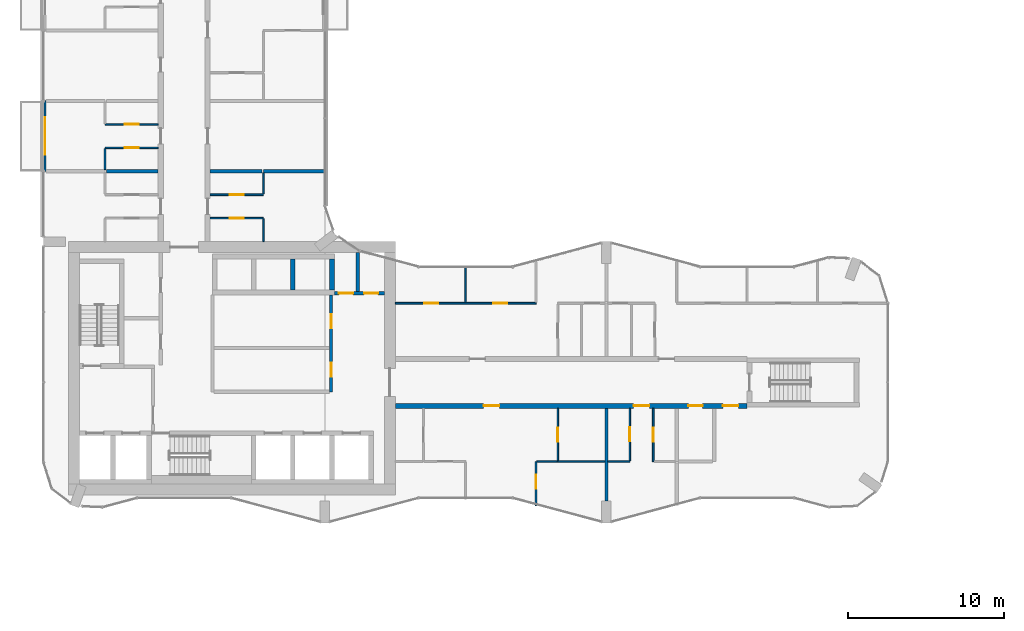
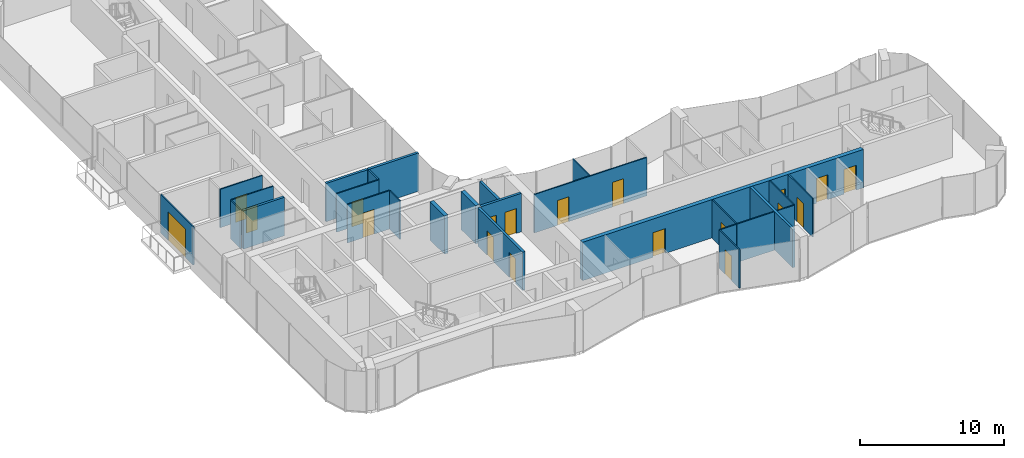
# One storey, part 14 of 23: 27 walls, 19 doors, 19 openings.
"""IFC4 building model written with IfcOpenShell, lengths in metres."""

from ifc_helpers import new_model, si_unit, direction, frame, frame_2d, origin, place, context, subcontext, project, spatial, rectangle, extrude, material, layer, layer_set, type_object, element, fill, save


model = new_model("IFC4")

# Units and contexts
model_context = context("Model", 3, precision=1e-05, world=origin(), true_north=direction((0.0, 1.0)))
body_context = subcontext(model_context, "Body", "Model", "MODEL_VIEW")
ifc_project = project(units=[si_unit("LENGTHUNIT", "METRE"), si_unit("AREAUNIT", "SQUARE_METRE"), si_unit("VOLUMEUNIT", "CUBIC_METRE"), si_unit("PLANEANGLEUNIT", "RADIAN"), si_unit("MASSUNIT", "GRAM", prefix="KILO")], contexts=[model_context])

# Site, building, storey
site_placement = place(None, origin())
site = spatial("IfcSite", under=ifc_project, at=site_placement, CompositionType="ELEMENT")
building_placement = place(site_placement, origin())
building = spatial("IfcBuilding", under=site, at=building_placement, Name="Plateau Cross Towers", CompositionType="ELEMENT")
storey_placement = place(building_placement, frame((0.0, 0.0, 92.300048828125)))
storey = spatial("IfcBuildingStorey", under=building, at=storey_placement, Name="L23", CompositionType="ELEMENT", Elevation=92.300048828125)

# Wall, opening, door
ifc_material_1 = material(Name="Aluminium framed glazing", Category="aluminium")
ifc_layer_1 = layer(ifc_material_1, 0.10009765625)
ifc_layer_set_1 = layer_set([ifc_layer_1], Name="Aluminium framed glazing")
wall_type_1 = type_object("IfcWallType", Name="Balcony screen wall 100", PredefinedType="STANDARD", material=ifc_layer_set_1)
wall_1_placement = place(storey_placement, frame((0.10009765625, 22.5, 0.0), z_axis=(0.0, 0.0, 1.0), x_axis=(0.0, 1.0, 0.0)))
wall_1 = element("IfcWall", 1, at=wall_1_placement, inside=storey, type_object=wall_type_1, Name="Balcony screen wall A-BAL-L23-01", PredefinedType="STANDARD", context=body_context, shape_type="SweptSolid", body=[
    extrude(rectangle(XDim=4.5, YDim=0.10009765625, at=frame_2d((2.25, 0.0))), origin(), (0.0, 0.0, 1.0), 3.25),
])
opening_1_placement = place(wall_1_placement, frame((1.050048828125, 0.0, 0.0)))
opening_1 = element("IfcOpeningElement", 2, at=opening_1_placement, cuts=wall_1, Name="Opening D-B24", PredefinedType="OPENING", context=body_context, shape_type="SweptSolid", body=[
    extrude(rectangle(XDim=2.39990234375, YDim=2.39990234375, at=frame_2d((1.199951171875, 1.199951171875))), frame((0.0, 0.06005859375, 0.0), z_axis=(0.0, -1.0, 0.0), x_axis=(1.0, 0.0, 0.0)), (0.0, 0.0, 1.0), 0.1201171875),
])
ifc_material_2 = material(Name="Aluminium frame, double glazing", Category="aluminium")
door_type_1 = type_object("IfcDoorType", Name="Balcony sliding door 2400", OperationType="NOTDEFINED", PredefinedType="DOOR", material=ifc_material_2)
door_1_placement = place(opening_1_placement, origin())
door_1 = element("IfcDoor", 3, at=door_1_placement, inside=storey, type_object=door_type_1, Name="Balcony door A-BAL-L23-01", OperationType="SINGLE_SWING_LEFT", OverallHeight=2.39990234375, OverallWidth=2.39990234375, PredefinedType="DOOR", context=body_context, shape_type="SweptSolid", body=[
    extrude(rectangle(XDim=2.39990234375, YDim=2.39990234375, at=frame_2d((1.199951171875, 1.199951171875))), frame((0.0, 0.02490234375, 0.0), z_axis=(0.0, -1.0, 0.0), x_axis=(1.0, 0.0, 0.0)), (0.0, 0.0, 1.0), 0.050048828125),
])
fill(opening_1, door_1)

# Wall, openings, doors
ifc_material_3 = material(Name="Concrete block, plastered both sides", Category="concrete")
ifc_layer_2 = layer(ifc_material_3, 0.199951171875)
ifc_layer_set_2 = layer_set([ifc_layer_2], Name="Concrete block, plastered both sides")
wall_type_2 = type_object("IfcWallType", Name="Core partition 200", PredefinedType="PARTITIONING", material=ifc_layer_set_2)
wall_2_placement = place(storey_placement, frame((18.39990234375, 8.39990234375, 0.0), z_axis=(0.0, 0.0, 1.0), x_axis=(0.0, 1.0, 0.0)))
wall_2 = element("IfcWall", 4, at=wall_2_placement, inside=storey, type_object=wall_type_2, Name="Core partition", PredefinedType="PARTITIONING", context=body_context, shape_type="SweptSolid", body=[
    extrude(rectangle(XDim=6.2001953125, YDim=0.199951171875, at=frame_2d((3.10009765625, 0.0))), origin(), (0.0, 0.0, 1.0), 3.25),
])
opening_2_placement = place(wall_2_placement, frame((0.949951171875, 0.0, 0.0)))
opening_2 = element("IfcOpeningElement", 5, at=opening_2_placement, cuts=wall_2, Name="Opening RD1", PredefinedType="OPENING", context=body_context, shape_type="SweptSolid", body=[
    extrude(rectangle(XDim=0.89990234375, YDim=2.10009765625, at=frame_2d((0.449951171875, 1.050048828125))), frame((0.0, 0.10986328125, 0.0), z_axis=(0.0, -1.0, 0.0), x_axis=(1.0, 0.0, 0.0)), (0.0, 0.0, 1.0), 0.219970703125),
])
opening_3_placement = place(wall_2_placement, frame((4.050048828125, 0.0, 0.0)))
opening_3 = element("IfcOpeningElement", 6, at=opening_3_placement, cuts=wall_2, Name="Opening RD1", PredefinedType="OPENING", context=body_context, shape_type="SweptSolid", body=[
    extrude(rectangle(XDim=0.89990234375, YDim=2.10009765625, at=frame_2d((0.449951171875, 1.050048828125))), frame((0.0, 0.10986328125, 0.0), z_axis=(0.0, -1.0, 0.0), x_axis=(1.0, 0.0, 0.0)), (0.0, 0.0, 1.0), 0.219970703125),
])
ifc_material_4 = material(Name="Timber, fire-resisting leaf", Category="wood")
door_type_2 = type_object("IfcDoorType", Name="Core service door 900", OperationType="NOTDEFINED", PredefinedType="DOOR", material=ifc_material_4)
door_2_placement = place(opening_2_placement, origin())
door_2 = element("IfcDoor", 7, at=door_2_placement, inside=storey, type_object=door_type_2, Name="Core service door RD1", OperationType="SINGLE_SWING_LEFT", OverallHeight=2.10009765625, OverallWidth=0.89990234375, PredefinedType="DOOR", context=body_context, shape_type="SweptSolid", body=[
    extrude(rectangle(XDim=0.89990234375, YDim=2.10009765625, at=frame_2d((0.449951171875, 1.050048828125))), frame((0.0, 0.02490234375, 0.0), z_axis=(0.0, -1.0, 0.0), x_axis=(1.0, 0.0, 0.0)), (0.0, 0.0, 1.0), 0.050048828125),
])
fill(opening_2, door_2)
door_3_placement = place(opening_3_placement, origin())
door_3 = element("IfcDoor", 8, at=door_3_placement, inside=storey, type_object=door_type_2, Name="Core service door RD1", OperationType="SINGLE_SWING_LEFT", OverallHeight=2.10009765625, OverallWidth=0.89990234375, PredefinedType="DOOR", context=body_context, shape_type="SweptSolid", body=[
    extrude(rectangle(XDim=0.89990234375, YDim=2.10009765625, at=frame_2d((0.449951171875, 1.050048828125))), frame((0.0, 0.02490234375, 0.0), z_axis=(0.0, -1.0, 0.0), x_axis=(1.0, 0.0, 0.0)), (0.0, 0.0, 1.0), 0.050048828125),
])
fill(opening_3, door_3)

wall_3_placement = place(storey_placement, frame((18.60009765625, 14.699951171875, 0.0), z_axis=(0.0, 0.0, 1.0), x_axis=(1.0, 0.0, 0.0)))
wall_3 = element("IfcWall", 9, at=wall_3_placement, inside=storey, type_object=wall_type_2, Name="Core partition", PredefinedType="PARTITIONING", context=body_context, shape_type="SweptSolid", body=[
    extrude(rectangle(XDim=3.199951171875, YDim=0.199951171875, at=frame_2d((1.60009765625, 0.0))), origin(), (0.0, 0.0, 1.0), 3.25),
])
opening_4_placement = place(wall_3_placement, frame((0.300048828125, 0.0, 0.0)))
opening_4 = element("IfcOpeningElement", 10, at=opening_4_placement, cuts=wall_3, Name="Opening RD2", PredefinedType="OPENING", context=body_context, shape_type="SweptSolid", body=[
    extrude(rectangle(XDim=0.89990234375, YDim=2.10009765625, at=frame_2d((0.449951171875, 1.050048828125))), frame((0.0, 0.10986328125, 0.0), z_axis=(0.0, -1.0, 0.0), x_axis=(1.0, 0.0, 0.0)), (0.0, 0.0, 1.0), 0.219970703125),
])
opening_5_placement = place(wall_3_placement, frame((1.89990234375, 0.0, 0.0)))
opening_5 = element("IfcOpeningElement", 11, at=opening_5_placement, cuts=wall_3, Name="Opening RD2", PredefinedType="OPENING", context=body_context, shape_type="SweptSolid", body=[
    extrude(rectangle(XDim=0.89990234375, YDim=2.10009765625, at=frame_2d((0.449951171875, 1.050048828125))), frame((0.0, 0.10986328125, 0.0), z_axis=(0.0, -1.0, 0.0), x_axis=(1.0, 0.0, 0.0)), (0.0, 0.0, 1.0), 0.219970703125),
])
ifc_material_5 = material(Name="Steel, fire-resisting leaf", Category="steel")
door_type_3 = type_object("IfcDoorType", Name="Core riser door 900", OperationType="NOTDEFINED", PredefinedType="DOOR", material=ifc_material_5)
door_4_placement = place(opening_4_placement, origin())
door_4 = element("IfcDoor", 12, at=door_4_placement, inside=storey, type_object=door_type_3, Name="Core riser door RD2", OperationType="SINGLE_SWING_LEFT", OverallHeight=2.10009765625, OverallWidth=0.89990234375, PredefinedType="DOOR", context=body_context, shape_type="SweptSolid", body=[
    extrude(rectangle(XDim=0.89990234375, YDim=2.10009765625, at=frame_2d((0.449951171875, 1.050048828125))), frame((0.0, 0.02490234375, 0.0), z_axis=(0.0, -1.0, 0.0), x_axis=(1.0, 0.0, 0.0)), (0.0, 0.0, 1.0), 0.050048828125),
])
fill(opening_4, door_4)
door_5_placement = place(opening_5_placement, origin())
door_5 = element("IfcDoor", 13, at=door_5_placement, inside=storey, type_object=door_type_3, Name="Core riser door RD2", OperationType="SINGLE_SWING_LEFT", OverallHeight=2.10009765625, OverallWidth=0.89990234375, PredefinedType="DOOR", context=body_context, shape_type="SweptSolid", body=[
    extrude(rectangle(XDim=0.89990234375, YDim=2.10009765625, at=frame_2d((0.449951171875, 1.050048828125))), frame((0.0, 0.02490234375, 0.0), z_axis=(0.0, -1.0, 0.0), x_axis=(1.0, 0.0, 0.0)), (0.0, 0.0, 1.0), 0.050048828125),
])
fill(opening_5, door_5)

# Walls
wall_4_placement = place(storey_placement, frame((20.10009765625, 14.800048828125, 0.0), z_axis=(0.0, 0.0, 1.0), x_axis=(0.0, 1.0, 0.0)))
element("IfcWall", 14, at=wall_4_placement, inside=storey, type_object=wall_type_2, Name="Core partition", PredefinedType="PARTITIONING", context=body_context, shape_type="SweptSolid", body=[
    extrude(rectangle(XDim=2.5, YDim=0.199951171875, at=frame_2d((1.25, 0.0))), origin(), (0.0, 0.0, 1.0), 3.25),
])
ifc_material_6 = material(Name="Concrete C60/75", Category="concrete")
ifc_layer_3 = layer(ifc_material_6, 0.300048828125)
ifc_layer_set_3 = layer_set([ifc_layer_3], Name="Concrete C60/75")
wall_type_3 = type_object("IfcWallType", Name="Core shaft wall 300", PredefinedType="SHEAR", material=ifc_layer_set_3)
for number, where, z_axis, x_axis, name in (
    (15, (15.949951171875, 14.89990234375, 0.0), (0.0, 0.0, 1.0), (0.0, 1.0, 0.0), "A-nb-v3@L23"),
    (16, (18.449951171875, 14.89990234375, 0.0), (0.0, 0.0, 1.0), (0.0, 1.0, 0.0), "A-nb-v4@L23"),
):
    element("IfcWall", number, at=place(storey_placement, frame(where, z_axis=z_axis, x_axis=x_axis)), inside=storey, type_object=wall_type_3, Name=name, PredefinedType="SHEAR", context=body_context, shape_type="SweptSolid", body=[
        extrude(rectangle(XDim=2.0, YDim=0.300048828125, at=frame_2d((1.0, 0.0))), origin(), (0.0, 0.0, 1.0), 3.25),
    ])

# Wall, openings, doors
ifc_layer_4 = layer(ifc_material_6, 0.324951171875)
ifc_layer_set_4 = layer_set([ifc_layer_4], Name="Concrete C60/75")
wall_type_4 = type_object("IfcWallType", Name="Corridor wall 325", PredefinedType="SHEAR", material=ifc_layer_set_4)
wall_5_placement = place(storey_placement, frame((22.5, 7.5, 0.0), z_axis=(0.0, 0.0, 1.0), x_axis=(1.0, 0.0, 0.0)))
wall_5 = element("IfcWall", 17, at=wall_5_placement, inside=storey, type_object=wall_type_4, Name="A-cw-S1@L23", PredefinedType="SHEAR", context=body_context, shape_type="SweptSolid", body=[
    extrude(rectangle(XDim=22.5, YDim=0.324951171875, at=frame_2d((11.25, 0.0))), origin(), (0.0, 0.0, 1.0), 3.25),
])
opening_6_placement = place(wall_5_placement, frame((5.64990234375, 0.0, 0.0)))
opening_6 = element("IfcOpeningElement", 18, at=opening_6_placement, cuts=wall_5, Name="Opening 23-01", PredefinedType="OPENING", context=body_context, shape_type="SweptSolid", body=[
    extrude(rectangle(XDim=1.0, YDim=2.10009765625, at=frame_2d((0.5, 1.050048828125))), frame((0.0, 0.17236328125, 0.0), z_axis=(0.0, -1.0, 0.0), x_axis=(1.0, 0.0, 0.0)), (0.0, 0.0, 1.0), 0.344970703125),
])
opening_7_placement = place(wall_5_placement, frame((15.25, 0.0, 0.0)))
opening_7 = element("IfcOpeningElement", 19, at=opening_7_placement, cuts=wall_5, Name="Opening 23-02", PredefinedType="OPENING", context=body_context, shape_type="SweptSolid", body=[
    extrude(rectangle(XDim=1.0, YDim=2.10009765625, at=frame_2d((0.5, 1.050048828125))), frame((0.0, 0.17236328125, 0.0), z_axis=(0.0, -1.0, 0.0), x_axis=(1.0, 0.0, 0.0)), (0.0, 0.0, 1.0), 0.344970703125),
])
opening_8_placement = place(wall_5_placement, frame((18.75, 0.0, 0.0)))
opening_8 = element("IfcOpeningElement", 20, at=opening_8_placement, cuts=wall_5, Name="Opening 23-03", PredefinedType="OPENING", context=body_context, shape_type="SweptSolid", body=[
    extrude(rectangle(XDim=0.89990234375, YDim=2.10009765625, at=frame_2d((0.449951171875, 1.050048828125))), frame((0.0, 0.17236328125, 0.0), z_axis=(0.0, -1.0, 0.0), x_axis=(1.0, 0.0, 0.0)), (0.0, 0.0, 1.0), 0.344970703125),
])
opening_9_placement = place(wall_5_placement, frame((20.949951171875, 0.0, 0.0)))
opening_9 = element("IfcOpeningElement", 21, at=opening_9_placement, cuts=wall_5, Name="Opening 23-04", PredefinedType="OPENING", context=body_context, shape_type="SweptSolid", body=[
    extrude(rectangle(XDim=1.0, YDim=2.10009765625, at=frame_2d((0.5, 1.050048828125))), frame((0.0, 0.17236328125, 0.0), z_axis=(0.0, -1.0, 0.0), x_axis=(1.0, 0.0, 0.0)), (0.0, 0.0, 1.0), 0.344970703125),
])
door_type_4 = type_object("IfcDoorType", Name="Flat entrance door 1000", OperationType="NOTDEFINED", PredefinedType="DOOR", material=ifc_material_4)
door_6_placement = place(opening_6_placement, origin())
door_6 = element("IfcDoor", 22, at=door_6_placement, inside=storey, type_object=door_type_4, Name="Door 23-01", OperationType="SINGLE_SWING_LEFT", OverallHeight=2.10009765625, OverallWidth=1.0, PredefinedType="DOOR", context=body_context, shape_type="SweptSolid", body=[
    extrude(rectangle(XDim=1.0, YDim=2.10009765625, at=frame_2d((0.5, 1.050048828125))), frame((0.0, 0.02490234375, 0.0), z_axis=(0.0, -1.0, 0.0), x_axis=(1.0, 0.0, 0.0)), (0.0, 0.0, 1.0), 0.050048828125),
])
fill(opening_6, door_6)
door_7_placement = place(opening_7_placement, origin())
door_7 = element("IfcDoor", 23, at=door_7_placement, inside=storey, type_object=door_type_4, Name="Door 23-02", OperationType="SINGLE_SWING_RIGHT", OverallHeight=2.10009765625, OverallWidth=1.0, PredefinedType="DOOR", context=body_context, shape_type="SweptSolid", body=[
    extrude(rectangle(XDim=1.0, YDim=2.10009765625, at=frame_2d((0.5, 1.050048828125))), frame((0.0, 0.02490234375, 0.0), z_axis=(0.0, -1.0, 0.0), x_axis=(1.0, 0.0, 0.0)), (0.0, 0.0, 1.0), 0.050048828125),
])
fill(opening_7, door_7)
door_8_placement = place(opening_9_placement, origin())
door_8 = element("IfcDoor", 24, at=door_8_placement, inside=storey, type_object=door_type_4, Name="Door 23-04", OperationType="SINGLE_SWING_RIGHT", OverallHeight=2.10009765625, OverallWidth=1.0, PredefinedType="DOOR", context=body_context, shape_type="SweptSolid", body=[
    extrude(rectangle(XDim=1.0, YDim=2.10009765625, at=frame_2d((0.5, 1.050048828125))), frame((0.0, 0.02490234375, 0.0), z_axis=(0.0, -1.0, 0.0), x_axis=(1.0, 0.0, 0.0)), (0.0, 0.0, 1.0), 0.050048828125),
])
fill(opening_9, door_8)
door_type_5 = type_object("IfcDoorType", Name="Flat floor service door 900", OperationType="NOTDEFINED", PredefinedType="DOOR", material=ifc_material_4)
door_9_placement = place(opening_8_placement, origin())
door_9 = element("IfcDoor", 25, at=door_9_placement, inside=storey, type_object=door_type_5, Name="Door 23-03", OperationType="SINGLE_SWING_RIGHT", OverallHeight=2.10009765625, OverallWidth=0.89990234375, PredefinedType="DOOR", context=body_context, shape_type="SweptSolid", body=[
    extrude(rectangle(XDim=0.89990234375, YDim=2.10009765625, at=frame_2d((0.449951171875, 1.050048828125))), frame((0.0, 0.02490234375, 0.0), z_axis=(0.0, -1.0, 0.0), x_axis=(1.0, 0.0, 0.0)), (0.0, 0.0, 1.0), 0.050048828125),
])
fill(opening_8, door_9)

# Walls
ifc_material_7 = material(Name="Gypsum board on steel studs", Category="steel")
ifc_layer_5 = layer(ifc_material_7, 0.10009765625)
ifc_layer_set_5 = layer_set([ifc_layer_5], Name="Gypsum board on steel studs")
wall_type_5 = type_object("IfcWallType", Name="Flat partition 100", PredefinedType="PARTITIONING", material=ifc_layer_set_5)
wall_6_placement = place(storey_placement, frame((32.85009765625, 3.9375, 0.0), z_axis=(0.0, 0.0, 1.0), x_axis=(-1.0, 0.0, 0.0)))
element("IfcWall", 26, at=wall_6_placement, inside=storey, type_object=wall_type_5, Name="Partition wall", PredefinedType="PARTITIONING", context=body_context, shape_type="SweptSolid", body=[
    extrude(rectangle(XDim=1.300048828125, YDim=0.10009765625, at=frame_2d((0.64990234375, 0.0))), origin(), (0.0, 0.0, 1.0), 3.25),
])
wall_7_placement = place(storey_placement, frame((32.89990234375, 3.9375, 0.0), z_axis=(0.0, 0.0, 1.0), x_axis=(1.0, 0.0, 0.0)))
element("IfcWall", 27, at=wall_7_placement, inside=storey, type_object=wall_type_5, Name="Partition wall", PredefinedType="PARTITIONING", context=body_context, shape_type="SweptSolid", body=[
    extrude(rectangle(XDim=3.0, YDim=0.10009765625, at=frame_2d((1.5, 0.0))), origin(), (0.0, 0.0, 1.0), 3.25),
])
wall_8_placement = place(storey_placement, frame((36.10009765625, 3.9375, 0.0), z_axis=(0.0, 0.0, 1.0), x_axis=(1.0, 0.0, 0.0)))
element("IfcWall", 28, at=wall_8_placement, inside=storey, type_object=wall_type_5, Name="Partition wall", PredefinedType="PARTITIONING", context=body_context, shape_type="SweptSolid", body=[
    extrude(rectangle(XDim=1.39990234375, YDim=0.10009765625, at=frame_2d((0.699951171875, 0.0))), origin(), (0.0, 0.0, 1.0), 3.25),
])

# Wall, openings, doors
wall_9_placement = place(storey_placement, frame((22.5, 14.0625, 0.0), z_axis=(0.0, 0.0, 1.0), x_axis=(1.0, 0.0, 0.0)))
wall_9 = element("IfcWall", 29, at=wall_9_placement, inside=storey, type_object=wall_type_5, Name="Partition wall", PredefinedType="PARTITIONING", context=body_context, shape_type="SweptSolid", body=[
    extrude(rectangle(XDim=9.0, YDim=0.10009765625, at=frame_2d((4.5, 0.0))), origin(), (0.0, 0.0, 1.0), 3.25),
])
opening_10_placement = place(wall_9_placement, frame((1.85009765625, 0.0, 0.0)))
opening_10 = element("IfcOpeningElement", 30, at=opening_10_placement, cuts=wall_9, Name="Opening 23-26", PredefinedType="OPENING", context=body_context, shape_type="SweptSolid", body=[
    extrude(rectangle(XDim=0.89990234375, YDim=2.10009765625, at=frame_2d((0.449951171875, 1.050048828125))), frame((0.0, 0.06005859375, 0.0), z_axis=(0.0, -1.0, 0.0), x_axis=(1.0, 0.0, 0.0)), (0.0, 0.0, 1.0), 0.1201171875),
])
opening_11_placement = place(wall_9_placement, frame((6.25, 0.0, 0.0)))
opening_11 = element("IfcOpeningElement", 31, at=opening_11_placement, cuts=wall_9, Name="Opening 23-27", PredefinedType="OPENING", context=body_context, shape_type="SweptSolid", body=[
    extrude(rectangle(XDim=0.89990234375, YDim=2.10009765625, at=frame_2d((0.449951171875, 1.050048828125))), frame((0.0, 0.06005859375, 0.0), z_axis=(0.0, -1.0, 0.0), x_axis=(1.0, 0.0, 0.0)), (0.0, 0.0, 1.0), 0.1201171875),
])
ifc_material_8 = material(Name="Timber leaf", Category="wood")
door_type_6 = type_object("IfcDoorType", Name="Flat room door 900", OperationType="NOTDEFINED", PredefinedType="DOOR", material=ifc_material_8)
door_10_placement = place(opening_10_placement, origin())
door_10 = element("IfcDoor", 32, at=door_10_placement, inside=storey, type_object=door_type_6, Name="Door 23-26", OperationType="SINGLE_SWING_LEFT", OverallHeight=2.10009765625, OverallWidth=0.89990234375, PredefinedType="DOOR", context=body_context, shape_type="SweptSolid", body=[
    extrude(rectangle(XDim=0.89990234375, YDim=2.10009765625, at=frame_2d((0.449951171875, 1.050048828125))), frame((0.0, 0.02490234375, 0.0), z_axis=(0.0, -1.0, 0.0), x_axis=(1.0, 0.0, 0.0)), (0.0, 0.0, 1.0), 0.050048828125),
])
fill(opening_10, door_10)
door_11_placement = place(opening_11_placement, origin())
door_11 = element("IfcDoor", 33, at=door_11_placement, inside=storey, type_object=door_type_6, Name="Door 23-27", OperationType="SINGLE_SWING_RIGHT", OverallHeight=2.10009765625, OverallWidth=0.89990234375, PredefinedType="DOOR", context=body_context, shape_type="SweptSolid", body=[
    extrude(rectangle(XDim=0.89990234375, YDim=2.10009765625, at=frame_2d((0.449951171875, 1.050048828125))), frame((0.0, 0.02490234375, 0.0), z_axis=(0.0, -1.0, 0.0), x_axis=(1.0, 0.0, 0.0)), (0.0, 0.0, 1.0), 0.050048828125),
])
fill(opening_11, door_11)

# Wall, opening, door
wall_10_placement = place(storey_placement, frame((14.0625, 19.5, 0.0), z_axis=(0.0, 0.0, 1.0), x_axis=(-1.0, 0.0, 0.0)))
wall_10 = element("IfcWall", 34, at=wall_10_placement, inside=storey, type_object=wall_type_5, Name="Partition wall", PredefinedType="PARTITIONING", context=body_context, shape_type="SweptSolid", body=[
    extrude(rectangle(XDim=3.39990234375, YDim=0.10009765625, at=frame_2d((1.699951171875, 0.0))), origin(), (0.0, 0.0, 1.0), 3.25),
])
opening_12_placement = place(wall_10_placement, frame((1.25, 0.0, 0.0)))
opening_12 = element("IfcOpeningElement", 35, at=opening_12_placement, cuts=wall_10, Name="Opening 23-39", PredefinedType="OPENING", context=body_context, shape_type="SweptSolid", body=[
    extrude(rectangle(XDim=0.89990234375, YDim=2.10009765625, at=frame_2d((0.449951171875, 1.050048828125))), frame((0.0, 0.06005859375, 0.0), z_axis=(0.0, -1.0, 0.0), x_axis=(1.0, 0.0, 0.0)), (0.0, 0.0, 1.0), 0.1201171875),
])
door_12_placement = place(opening_12_placement, origin())
door_12 = element("IfcDoor", 36, at=door_12_placement, inside=storey, type_object=door_type_6, Name="Door 23-39", OperationType="SINGLE_SWING_LEFT", OverallHeight=2.10009765625, OverallWidth=0.89990234375, PredefinedType="DOOR", context=body_context, shape_type="SweptSolid", body=[
    extrude(rectangle(XDim=0.89990234375, YDim=2.10009765625, at=frame_2d((0.449951171875, 1.050048828125))), frame((0.0, 0.02490234375, 0.0), z_axis=(0.0, -1.0, 0.0), x_axis=(1.0, 0.0, 0.0)), (0.0, 0.0, 1.0), 0.050048828125),
])
fill(opening_12, door_12)

wall_11_placement = place(storey_placement, frame((10.66259765625, 21.0, 0.0), z_axis=(0.0, 0.0, 1.0), x_axis=(1.0, 0.0, 0.0)))
wall_11 = element("IfcWall", 37, at=wall_11_placement, inside=storey, type_object=wall_type_5, Name="Partition wall", PredefinedType="PARTITIONING", context=body_context, shape_type="SweptSolid", body=[
    extrude(rectangle(XDim=3.39990234375, YDim=0.10009765625, at=frame_2d((1.699951171875, 0.0))), origin(), (0.0, 0.0, 1.0), 3.25),
])
opening_13_placement = place(wall_11_placement, frame((1.25, 0.0, 0.0)))
opening_13 = element("IfcOpeningElement", 38, at=opening_13_placement, cuts=wall_11, Name="Opening 23-40", PredefinedType="OPENING", context=body_context, shape_type="SweptSolid", body=[
    extrude(rectangle(XDim=0.89990234375, YDim=2.10009765625, at=frame_2d((0.449951171875, 1.050048828125))), frame((0.0, 0.06005859375, 0.0), z_axis=(0.0, -1.0, 0.0), x_axis=(1.0, 0.0, 0.0)), (0.0, 0.0, 1.0), 0.1201171875),
])
door_13_placement = place(opening_13_placement, origin())
door_13 = element("IfcDoor", 39, at=door_13_placement, inside=storey, type_object=door_type_6, Name="Door 23-40", OperationType="SINGLE_SWING_LEFT", OverallHeight=2.10009765625, OverallWidth=0.89990234375, PredefinedType="DOOR", context=body_context, shape_type="SweptSolid", body=[
    extrude(rectangle(XDim=0.89990234375, YDim=2.10009765625, at=frame_2d((0.449951171875, 1.050048828125))), frame((0.0, 0.02490234375, 0.0), z_axis=(0.0, -1.0, 0.0), x_axis=(1.0, 0.0, 0.0)), (0.0, 0.0, 1.0), 0.050048828125),
])
fill(opening_13, door_13)

wall_12_placement = place(storey_placement, frame((7.33740234375, 24.0, 0.0), z_axis=(0.0, 0.0, 1.0), x_axis=(-1.0, 0.0, 0.0)))
wall_12 = element("IfcWall", 40, at=wall_12_placement, inside=storey, type_object=wall_type_5, Name="Partition wall", PredefinedType="PARTITIONING", context=body_context, shape_type="SweptSolid", body=[
    extrude(rectangle(XDim=3.39990234375, YDim=0.10009765625, at=frame_2d((1.699951171875, 0.0))), origin(), (0.0, 0.0, 1.0), 3.25),
])
opening_14_placement = place(wall_12_placement, frame((1.25, 0.0, 0.0)))
opening_14 = element("IfcOpeningElement", 41, at=opening_14_placement, cuts=wall_12, Name="Opening 23-35", PredefinedType="OPENING", context=body_context, shape_type="SweptSolid", body=[
    extrude(rectangle(XDim=0.89990234375, YDim=2.10009765625, at=frame_2d((0.449951171875, 1.050048828125))), frame((0.0, 0.06005859375, 0.0), z_axis=(0.0, -1.0, 0.0), x_axis=(1.0, 0.0, 0.0)), (0.0, 0.0, 1.0), 0.1201171875),
])
door_14_placement = place(opening_14_placement, origin())
door_14 = element("IfcDoor", 42, at=door_14_placement, inside=storey, type_object=door_type_6, Name="Door 23-35", OperationType="SINGLE_SWING_LEFT", OverallHeight=2.10009765625, OverallWidth=0.89990234375, PredefinedType="DOOR", context=body_context, shape_type="SweptSolid", body=[
    extrude(rectangle(XDim=0.89990234375, YDim=2.10009765625, at=frame_2d((0.449951171875, 1.050048828125))), frame((0.0, 0.02490234375, 0.0), z_axis=(0.0, -1.0, 0.0), x_axis=(1.0, 0.0, 0.0)), (0.0, 0.0, 1.0), 0.050048828125),
])
fill(opening_14, door_14)

wall_13_placement = place(storey_placement, frame((3.9375, 25.5, 0.0), z_axis=(0.0, 0.0, 1.0), x_axis=(1.0, 0.0, 0.0)))
wall_13 = element("IfcWall", 43, at=wall_13_placement, inside=storey, type_object=wall_type_5, Name="Partition wall", PredefinedType="PARTITIONING", context=body_context, shape_type="SweptSolid", body=[
    extrude(rectangle(XDim=3.39990234375, YDim=0.10009765625, at=frame_2d((1.699951171875, 0.0))), origin(), (0.0, 0.0, 1.0), 3.25),
])
opening_15_placement = place(wall_13_placement, frame((1.25, 0.0, 0.0)))
opening_15 = element("IfcOpeningElement", 44, at=opening_15_placement, cuts=wall_13, Name="Opening 23-36", PredefinedType="OPENING", context=body_context, shape_type="SweptSolid", body=[
    extrude(rectangle(XDim=0.89990234375, YDim=2.10009765625, at=frame_2d((0.449951171875, 1.050048828125))), frame((0.0, 0.06005859375, 0.0), z_axis=(0.0, -1.0, 0.0), x_axis=(1.0, 0.0, 0.0)), (0.0, 0.0, 1.0), 0.1201171875),
])
door_15_placement = place(opening_15_placement, origin())
door_15 = element("IfcDoor", 45, at=door_15_placement, inside=storey, type_object=door_type_6, Name="Door 23-36", OperationType="SINGLE_SWING_LEFT", OverallHeight=2.10009765625, OverallWidth=0.89990234375, PredefinedType="DOOR", context=body_context, shape_type="SweptSolid", body=[
    extrude(rectangle(XDim=0.89990234375, YDim=2.10009765625, at=frame_2d((0.449951171875, 1.050048828125))), frame((0.0, 0.02490234375, 0.0), z_axis=(0.0, -1.0, 0.0), x_axis=(1.0, 0.0, 0.0)), (0.0, 0.0, 1.0), 0.050048828125),
])
fill(opening_15, door_15)

# Walls
wall_14_placement = place(storey_placement, frame((3.9375, 23.949951171875, 0.0), z_axis=(0.0, 0.0, 1.0), x_axis=(0.0, -1.0, 0.0)))
element("IfcWall", 46, at=wall_14_placement, inside=storey, type_object=wall_type_5, Name="Partition wall", PredefinedType="PARTITIONING", context=body_context, shape_type="SweptSolid", body=[
    extrude(rectangle(XDim=1.349853515625, YDim=0.10009765625, at=frame_2d((0.6748046875, 0.0))), origin(), (0.0, 0.0, 1.0), 3.25),
])
wall_15_placement = place(storey_placement, frame((14.0625, 18.0, 0.0), z_axis=(0.0, 0.0, 1.0), x_axis=(0.0, 1.0, 0.0)))
element("IfcWall", 47, at=wall_15_placement, inside=storey, type_object=wall_type_5, Name="Partition wall", PredefinedType="PARTITIONING", context=body_context, shape_type="SweptSolid", body=[
    extrude(rectangle(XDim=1.449951171875, YDim=0.10009765625, at=frame_2d((0.72509765625, 0.0))), origin(), (0.0, 0.0, 1.0), 3.25),
])
wall_16_placement = place(storey_placement, frame((14.0625, 21.050048828125, 0.0), z_axis=(0.0, 0.0, 1.0), x_axis=(0.0, 1.0, 0.0)))
element("IfcWall", 48, at=wall_16_placement, inside=storey, type_object=wall_type_5, Name="Partition wall", PredefinedType="PARTITIONING", context=body_context, shape_type="SweptSolid", body=[
    extrude(rectangle(XDim=1.349853515625, YDim=0.10009765625, at=frame_2d((0.6748046875, 0.0))), origin(), (0.0, 0.0, 1.0), 3.25),
])
wall_17_placement = place(storey_placement, frame((27.0, 14.112548828125, 0.0), z_axis=(0.0, 0.0, 1.0), x_axis=(0.0, 1.0, 0.0)))
element("IfcWall", 49, at=wall_17_placement, inside=storey, type_object=wall_type_5, Name="Partition wall", PredefinedType="PARTITIONING", context=body_context, shape_type="SweptSolid", body=[
    extrude(rectangle(XDim=2.360595703125, YDim=0.10009765625, at=frame_2d((1.18017578125, 0.0))), origin(), (0.0, 0.0, 1.0), 3.25),
])

# Wall, opening, door
wall_18_placement = place(storey_placement, frame((31.5, 3.9375, 0.0), z_axis=(0.0, 0.0, 1.0), x_axis=(0.0, -1.0, 0.0)))
wall_18 = element("IfcWall", 50, at=wall_18_placement, inside=storey, type_object=wall_type_5, Name="Partition wall", PredefinedType="PARTITIONING", context=body_context, shape_type="SweptSolid", body=[
    extrude(rectangle(XDim=2.815185546875, YDim=0.10009765625, at=frame_2d((1.40771484375, 0.0))), origin(), (0.0, 0.0, 1.0), 3.25),
])
opening_16_placement = place(wall_18_placement, frame((0.85009765625, 0.0, 0.0)))
opening_16 = element("IfcOpeningElement", 51, at=opening_16_placement, cuts=wall_18, Name="Opening 23-21", PredefinedType="OPENING", context=body_context, shape_type="SweptSolid", body=[
    extrude(rectangle(XDim=0.89990234375, YDim=2.10009765625, at=frame_2d((0.449951171875, 1.050048828125))), frame((0.0, 0.06005859375, 0.0), z_axis=(0.0, -1.0, 0.0), x_axis=(1.0, 0.0, 0.0)), (0.0, 0.0, 1.0), 0.1201171875),
])
door_16_placement = place(opening_16_placement, origin())
door_16 = element("IfcDoor", 52, at=door_16_placement, inside=storey, type_object=door_type_6, Name="Door 23-21", OperationType="SINGLE_SWING_LEFT", OverallHeight=2.10009765625, OverallWidth=0.89990234375, PredefinedType="DOOR", context=body_context, shape_type="SweptSolid", body=[
    extrude(rectangle(XDim=0.89990234375, YDim=2.10009765625, at=frame_2d((0.449951171875, 1.050048828125))), frame((0.0, 0.02490234375, 0.0), z_axis=(0.0, -1.0, 0.0), x_axis=(1.0, 0.0, 0.0)), (0.0, 0.0, 1.0), 0.050048828125),
])
fill(opening_16, door_16)

wall_19_placement = place(storey_placement, frame((32.89990234375, 7.33740234375, 0.0), z_axis=(0.0, 0.0, 1.0), x_axis=(0.0, -1.0, 0.0)))
wall_19 = element("IfcWall", 53, at=wall_19_placement, inside=storey, type_object=wall_type_5, Name="Partition wall", PredefinedType="PARTITIONING", context=body_context, shape_type="SweptSolid", body=[
    extrude(rectangle(XDim=3.349853515625, YDim=0.10009765625, at=frame_2d((1.6748046875, 0.0))), origin(), (0.0, 0.0, 1.0), 3.25),
])
opening_17_placement = place(wall_19_placement, frame((1.25, 0.0, 0.0)))
opening_17 = element("IfcOpeningElement", 54, at=opening_17_placement, cuts=wall_19, Name="Opening 23-19", PredefinedType="OPENING", context=body_context, shape_type="SweptSolid", body=[
    extrude(rectangle(XDim=0.89990234375, YDim=2.10009765625, at=frame_2d((0.449951171875, 1.050048828125))), frame((0.0, 0.06005859375, 0.0), z_axis=(0.0, -1.0, 0.0), x_axis=(1.0, 0.0, 0.0)), (0.0, 0.0, 1.0), 0.1201171875),
])
door_17_placement = place(opening_17_placement, origin())
door_17 = element("IfcDoor", 55, at=door_17_placement, inside=storey, type_object=door_type_6, Name="Door 23-19", OperationType="SINGLE_SWING_RIGHT", OverallHeight=2.10009765625, OverallWidth=0.89990234375, PredefinedType="DOOR", context=body_context, shape_type="SweptSolid", body=[
    extrude(rectangle(XDim=0.89990234375, YDim=2.10009765625, at=frame_2d((0.449951171875, 1.050048828125))), frame((0.0, 0.02490234375, 0.0), z_axis=(0.0, -1.0, 0.0), x_axis=(1.0, 0.0, 0.0)), (0.0, 0.0, 1.0), 0.050048828125),
])
fill(opening_17, door_17)

wall_20_placement = place(storey_placement, frame((37.5, 3.987548828125, 0.0), z_axis=(0.0, 0.0, 1.0), x_axis=(0.0, 1.0, 0.0)))
wall_20 = element("IfcWall", 56, at=wall_20_placement, inside=storey, type_object=wall_type_5, Name="Partition wall", PredefinedType="PARTITIONING", context=body_context, shape_type="SweptSolid", body=[
    extrude(rectangle(XDim=3.349853515625, YDim=0.10009765625, at=frame_2d((1.6748046875, 0.0))), origin(), (0.0, 0.0, 1.0), 3.25),
])
opening_18_placement = place(wall_20_placement, frame((1.25, 0.0, 0.0)))
opening_18 = element("IfcOpeningElement", 57, at=opening_18_placement, cuts=wall_20, Name="Opening 23-22", PredefinedType="OPENING", context=body_context, shape_type="SweptSolid", body=[
    extrude(rectangle(XDim=0.89990234375, YDim=2.10009765625, at=frame_2d((0.449951171875, 1.050048828125))), frame((0.0, 0.06005859375, 0.0), z_axis=(0.0, -1.0, 0.0), x_axis=(1.0, 0.0, 0.0)), (0.0, 0.0, 1.0), 0.1201171875),
])
door_18_placement = place(opening_18_placement, origin())
door_18 = element("IfcDoor", 58, at=door_18_placement, inside=storey, type_object=door_type_6, Name="Door 23-22", OperationType="SINGLE_SWING_RIGHT", OverallHeight=2.10009765625, OverallWidth=0.89990234375, PredefinedType="DOOR", context=body_context, shape_type="SweptSolid", body=[
    extrude(rectangle(XDim=0.89990234375, YDim=2.10009765625, at=frame_2d((0.449951171875, 1.050048828125))), frame((0.0, 0.02490234375, 0.0), z_axis=(0.0, -1.0, 0.0), x_axis=(1.0, 0.0, 0.0)), (0.0, 0.0, 1.0), 0.050048828125),
])
fill(opening_18, door_18)

wall_21_placement = place(storey_placement, frame((39.0, 7.33740234375, 0.0), z_axis=(0.0, 0.0, 1.0), x_axis=(0.0, -1.0, 0.0)))
wall_21 = element("IfcWall", 59, at=wall_21_placement, inside=storey, type_object=wall_type_5, Name="Partition wall", PredefinedType="PARTITIONING", context=body_context, shape_type="SweptSolid", body=[
    extrude(rectangle(XDim=3.39990234375, YDim=0.10009765625, at=frame_2d((1.699951171875, 0.0))), origin(), (0.0, 0.0, 1.0), 3.25),
])
opening_19_placement = place(wall_21_placement, frame((1.25, 0.0, 0.0)))
opening_19 = element("IfcOpeningElement", 60, at=opening_19_placement, cuts=wall_21, Name="Opening 23-23", PredefinedType="OPENING", context=body_context, shape_type="SweptSolid", body=[
    extrude(rectangle(XDim=0.89990234375, YDim=2.10009765625, at=frame_2d((0.449951171875, 1.050048828125))), frame((0.0, 0.06005859375, 0.0), z_axis=(0.0, -1.0, 0.0), x_axis=(1.0, 0.0, 0.0)), (0.0, 0.0, 1.0), 0.1201171875),
])
door_19_placement = place(opening_19_placement, origin())
door_19 = element("IfcDoor", 61, at=door_19_placement, inside=storey, type_object=door_type_6, Name="Door 23-23", OperationType="SINGLE_SWING_LEFT", OverallHeight=2.10009765625, OverallWidth=0.89990234375, PredefinedType="DOOR", context=body_context, shape_type="SweptSolid", body=[
    extrude(rectangle(XDim=0.89990234375, YDim=2.10009765625, at=frame_2d((0.449951171875, 1.050048828125))), frame((0.0, 0.02490234375, 0.0), z_axis=(0.0, -1.0, 0.0), x_axis=(1.0, 0.0, 0.0)), (0.0, 0.0, 1.0), 0.050048828125),
])
fill(opening_19, door_19)

# Walls
ifc_material_9 = material(Name="Gypsum board on steel studs, two layers each side", Category="steel")
ifc_layer_6 = layer(ifc_material_9, 0.199951171875)
ifc_layer_set_6 = layer_set([ifc_layer_6], Name="Gypsum board on steel studs, two layers each side")
wall_type_6 = type_object("IfcWallType", Name="Flat party wall 200", PredefinedType="PARTITIONING", material=ifc_layer_set_6)
for number, where, z_axis, x_axis, name in (
    (62, (7.33740234375, 22.5, 0.0), (0.0, 0.0, 1.0), (-1.0, 0.0, 0.0), "Party wall"),
    (63, (13.96240234375, 22.5, 0.0), (0.0, 0.0, 1.0), (-1.0, 0.0, 0.0), "Party wall"),
):
    element("IfcWall", number, at=place(storey_placement, frame(where, z_axis=z_axis, x_axis=x_axis)), inside=storey, type_object=wall_type_6, Name=name, PredefinedType="PARTITIONING", context=body_context, shape_type="SweptSolid", body=[
        extrude(rectangle(XDim=3.2998046875, YDim=0.199951171875, at=frame_2d((1.64990234375, 0.0))), origin(), (0.0, 0.0, 1.0), 3.25),
    ])
wall_22_placement = place(storey_placement, frame((14.0625, 22.5, 0.0), z_axis=(0.0, 0.0, 1.0), x_axis=(1.0, 0.0, 0.0)))
element("IfcWall", 64, at=wall_22_placement, inside=storey, type_object=wall_type_6, Name="Party wall", PredefinedType="PARTITIONING", context=body_context, shape_type="SweptSolid", body=[
    extrude(rectangle(XDim=4.017578125, YDim=0.199951171875, at=frame_2d((2.0087890625, 0.0))), origin(), (0.0, 0.0, 1.0), 3.25),
])
wall_23_placement = place(storey_placement, frame((36.0, 1.39990234375, 0.0), z_axis=(0.0, 0.0, 1.0), x_axis=(0.0, 1.0, 0.0)))
element("IfcWall", 65, at=wall_23_placement, inside=storey, type_object=wall_type_6, Name="Party wall", PredefinedType="PARTITIONING", context=body_context, shape_type="SweptSolid", body=[
    extrude(rectangle(XDim=5.9375, YDim=0.199951171875, at=frame_2d((2.96875, 0.0))), origin(), (0.0, 0.0, 1.0), 3.25),
])

save(model, "model.ifc")
